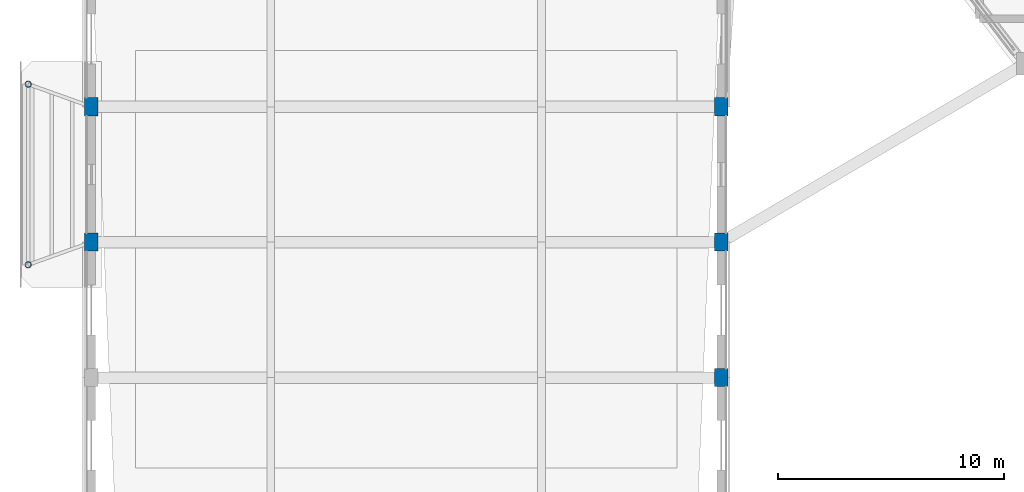
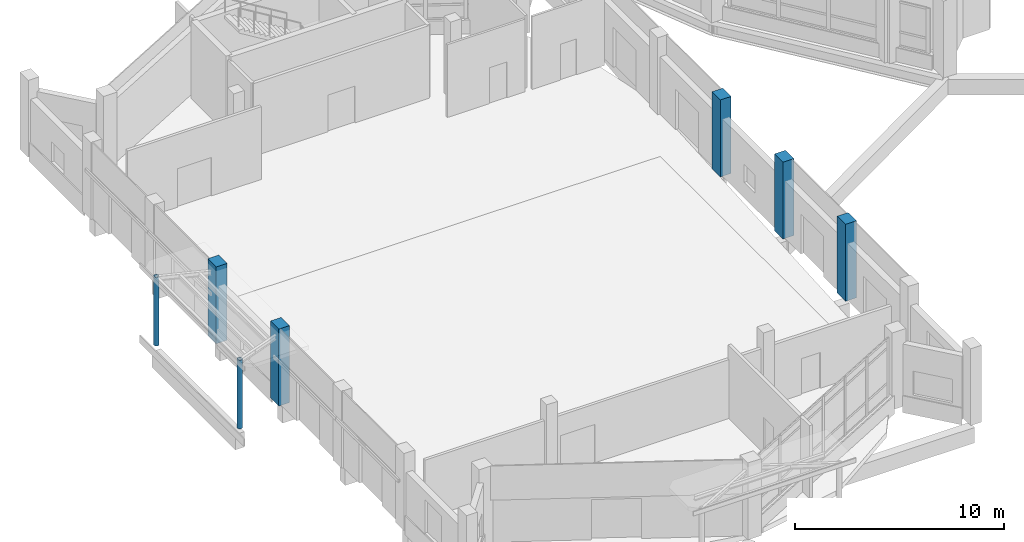
# One storey, part 2 of 129: 7 columns.
"""IFC4 building model written with IfcOpenShell, lengths in metres."""

from ifc_helpers import new_model, si_unit, direction, frame, origin, origin_2d, place, context, subcontext, project, spatial, rectangle, hollow_circle, extrude, material, material_profile, profile_set, type_object, element, save


model = new_model("IFC4")

# Units and contexts
model_context = context("Model", 3, precision=1e-05, world=origin(), true_north=direction((0.0, 1.0)))
body_context = subcontext(model_context, "Body", "Model", "MODEL_VIEW")
ifc_project = project(units=[si_unit("LENGTHUNIT", "METRE"), si_unit("AREAUNIT", "SQUARE_METRE"), si_unit("VOLUMEUNIT", "CUBIC_METRE"), si_unit("PLANEANGLEUNIT", "RADIAN"), si_unit("MASSUNIT", "GRAM", prefix="KILO")], contexts=[model_context])

# Site, building, storey
site_placement = place(None, origin())
site = spatial("IfcSite", under=ifc_project, at=site_placement, CompositionType="ELEMENT")
building_placement = place(site_placement, origin())
building = spatial("IfcBuilding", under=site, at=building_placement, Name="Vespera Passage Community Centre", CompositionType="ELEMENT")
storey_placement = place(building_placement, origin())
storey = spatial("IfcBuildingStorey", under=building, at=storey_placement, Name="L00", CompositionType="ELEMENT", Elevation=0.0)

# Columns
ifc_material_1 = material(Name="Steel ASTM A500 Grade C", Category="steel")
ifc_material_profile_1 = material_profile(ifc_material_1, hollow_circle(Radius=0.136474609375, WallThickness=0.01171875, at=origin_2d()), Name="CHS273X12.7")
ifc_profile_set_1 = profile_set([ifc_material_profile_1], Name="Steel ASTM A500 Grade C")
column_type_1 = type_object("IfcColumnType", Name="COL-CHS273E", PredefinedType="COLUMN", material=ifc_profile_set_1)
for number, where, z_axis, x_axis, name in (
    (1, (1.25, 24.0, 0.0), (0.0, 0.0, 1.0), (1.0, 0.0, 0.0), "L00 Pier EC1-C01"),
    (2, (1.25, 32.0, 0.0), (0.0, 0.0, 1.0), (1.0, 0.0, 0.0), "L00 Pier EC1-C02"),
):
    element("IfcColumn", number, at=place(storey_placement, frame(where, z_axis=z_axis, x_axis=x_axis)), inside=storey, type_object=column_type_1, Name=name, PredefinedType="COLUMN", context=body_context, shape_type="SweptSolid", body=[
        extrude(hollow_circle(Radius=0.136474609375, WallThickness=0.01171875, at=origin_2d()), origin(), (0.0, 0.0, 1.0), 4.010009765625),
    ])
ifc_material_2 = material(Name="Concrete f'c 45 MPa", Category="concrete")
ifc_material_profile_2 = material_profile(ifc_material_2, rectangle(XDim=0.60009765625, YDim=0.800048828125, at=origin_2d()), Name="RC800X600")
ifc_profile_set_2 = profile_set([ifc_material_profile_2], Name="Concrete f'c 45 MPa")
column_type_2 = type_object("IfcColumnType", Name="COL-RC800X600E", PredefinedType="COLUMN", material=ifc_profile_set_2)
for number, where, z_axis, x_axis, name in (
    (3, (31.949951171875, 19.0, 0.0), (0.0, 0.0, 1.0), (1.0, 0.0, 0.0), "L00 Column V1-E3"),
    (4, (31.949951171875, 25.0, 0.0), (0.0, 0.0, 1.0), (1.0, 0.0, 0.0), "L00 Column V1-E4"),
    (5, (31.949951171875, 31.0, 0.0), (0.0, 0.0, 1.0), (1.0, 0.0, 0.0), "L00 Column V1-E5"),
    (6, (4.050048828125, 25.0, 0.0), (0.0, 0.0, 1.0), (1.0, 0.0, 0.0), "L00 Column V1-W4"),
    (7, (4.050048828125, 31.0, 0.0), (0.0, 0.0, 1.0), (1.0, 0.0, 0.0), "L00 Column V1-W5"),
):
    element("IfcColumn", number, at=place(storey_placement, frame(where, z_axis=z_axis, x_axis=x_axis)), inside=storey, type_object=column_type_2, Name=name, PredefinedType="COLUMN", context=body_context, shape_type="SweptSolid", body=[
        extrude(rectangle(XDim=0.60009765625, YDim=0.800048828125, at=origin_2d()), origin(), (0.0, 0.0, 1.0), 4.5),
    ])

save(model, "model.ifc")
